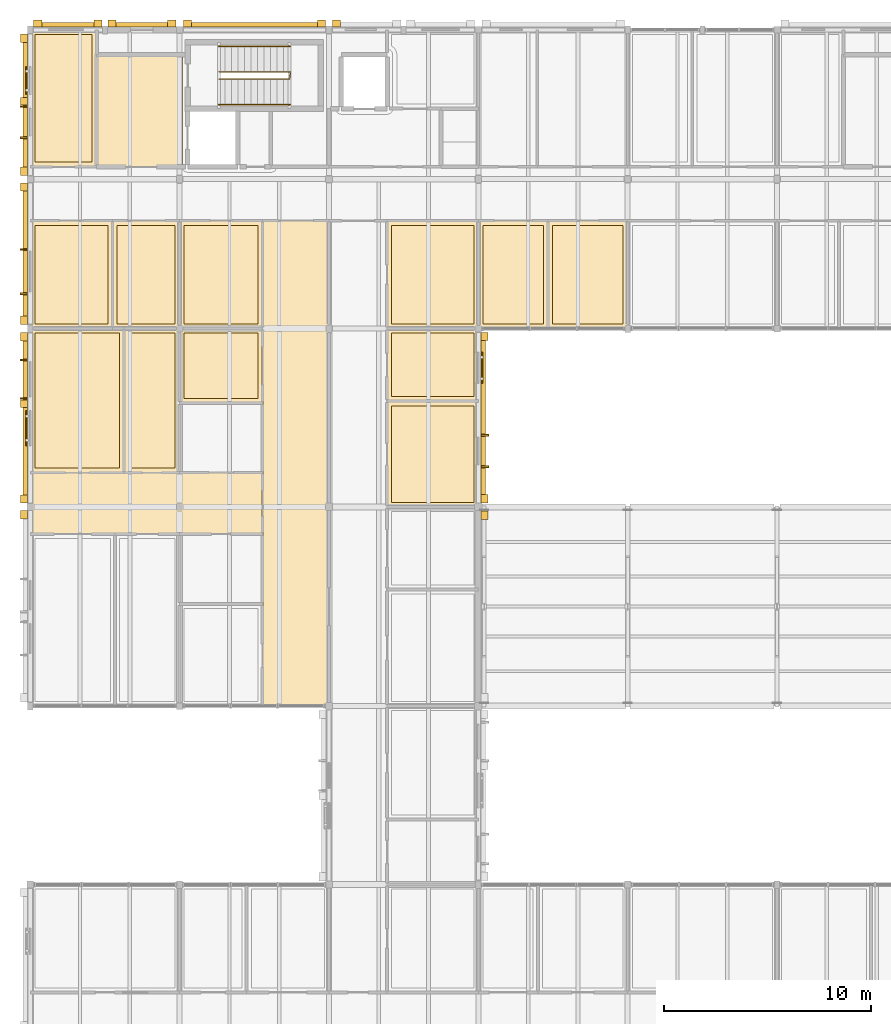
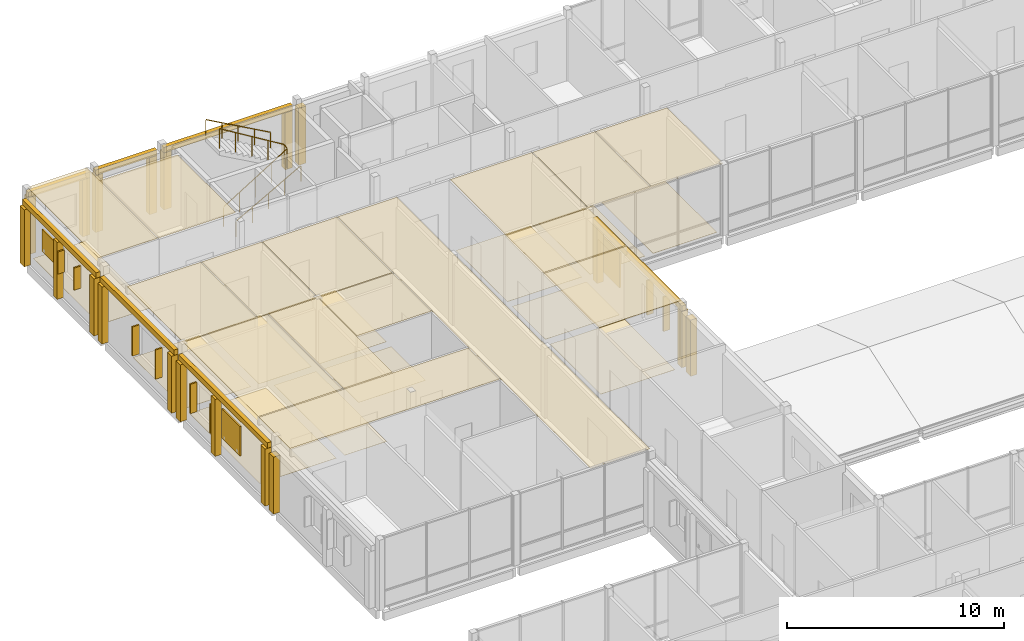
# One storey, part 107 of 115: 53 coverings, 11 shading devices, 3 railings.
"""IFC4 building model written with IfcOpenShell, lengths in metres."""

from ifc_helpers import new_model, si_unit, direction, frame, origin, origin_2d, place, context, subcontext, project, spatial, polyline, rectangle, circle, outline, extrude, material, layer, layer_set, type_object, element, save


model = new_model("IFC4")

# Units and contexts
model_context = context("Model", 3, precision=1e-05, world=origin(), true_north=direction((0.0, 1.0)))
body_context = subcontext(model_context, "Body", "Model", "MODEL_VIEW")
ifc_project = project(units=[si_unit("LENGTHUNIT", "METRE"), si_unit("AREAUNIT", "SQUARE_METRE"), si_unit("VOLUMEUNIT", "CUBIC_METRE"), si_unit("PLANEANGLEUNIT", "RADIAN"), si_unit("MASSUNIT", "GRAM", prefix="KILO")], contexts=[model_context])

# Site, building, storey
site_placement = place(None, origin())
site = spatial("IfcSite", under=ifc_project, at=site_placement, CompositionType="ELEMENT")
building_placement = place(site_placement, origin())
building = spatial("IfcBuilding", under=site, at=building_placement, Name="Hawrajan Terrace Health Centre", CompositionType="ELEMENT")
storey_placement = place(building_placement, frame((0.0, 0.0, 9.0)))
storey = spatial("IfcBuildingStorey", under=building, at=storey_placement, Name="L02", CompositionType="ELEMENT", Elevation=9.0)

# Coverings
ifc_material_1 = material(Name="Precast concrete C40/50", Category="concrete")
ifc_layer_1 = layer(ifc_material_1, 0.219970703125)
ifc_layer_set_1 = layer_set([ifc_layer_1], Name="Precast concrete C40/50")
covering_type_1 = type_object("IfcCoveringType", Name="ArtDecoCorniceBand", PredefinedType="CLADDING", material=ifc_layer_set_1)
covering_1_placement = place(storey_placement, frame((4.35498046875, 41.090087890625, 3.22021484375), z_axis=(0.0, 0.0, 1.0), x_axis=(0.0, 1.0, 0.0)))
element("IfcCovering", 1, at=covering_1_placement, inside=storey, type_object=covering_type_1, Name="Art Deco limestone cornice band CRN-L02-0109", PredefinedType="CLADDING", context=body_context, shape_type="SweptSolid", body=[
    extrude(rectangle(XDim=8.219970703125, YDim=0.219970703125, at=origin_2d()), origin(), (0.0, 0.0, 1.0), 0.300048828125),
])
covering_2_placement = place(storey_placement, frame((4.35498046875, 49.010009765625, 3.22021484375), z_axis=(0.0, 0.0, 1.0), x_axis=(0.0, 1.0, 0.0)))
element("IfcCovering", 2, at=covering_2_placement, inside=storey, type_object=covering_type_1, Name="Art Deco limestone cornice band CRN-L02-0110", PredefinedType="CLADDING", context=body_context, shape_type="SweptSolid", body=[
    extrude(rectangle(XDim=6.820068359375, YDim=0.219970703125, at=origin_2d()), origin(), (0.0, 0.0, 1.0), 0.300048828125),
])
covering_3_placement = place(storey_placement, frame((6.409912109375, 60.044921875, 3.22021484375), z_axis=(0.0, 0.0, 1.0), x_axis=(1.0, 0.0, 0.0)))
element("IfcCovering", 3, at=covering_3_placement, inside=storey, type_object=covering_type_1, Name="Art Deco limestone cornice band CRN-L02-0111", PredefinedType="CLADDING", context=body_context, shape_type="SweptSolid", body=[
    extrude(rectangle(XDim=3.300048828125, YDim=0.219970703125, at=origin_2d()), origin(), (0.0, 0.0, 1.0), 0.300048828125),
])
covering_4_placement = place(storey_placement, frame((9.97998046875, 60.044921875, 3.22021484375), z_axis=(0.0, 0.0, 1.0), x_axis=(1.0, 0.0, 0.0)))
element("IfcCovering", 4, at=covering_4_placement, inside=storey, type_object=covering_type_1, Name="Art Deco limestone cornice band CRN-L02-0112", PredefinedType="CLADDING", context=body_context, shape_type="SweptSolid", body=[
    extrude(rectangle(XDim=3.280029296875, YDim=0.219970703125, at=origin_2d()), origin(), (0.0, 0.0, 1.0), 0.300048828125),
])
covering_5_placement = place(storey_placement, frame((4.35498046875, 56.18994140625, 3.22021484375), z_axis=(0.0, 0.0, 1.0), x_axis=(0.0, 1.0, 0.0)))
element("IfcCovering", 5, at=covering_5_placement, inside=storey, type_object=covering_type_1, Name="Art Deco limestone cornice band CRN-L02-0113", PredefinedType="CLADDING", context=body_context, shape_type="SweptSolid", body=[
    extrude(rectangle(XDim=6.820068359375, YDim=0.219970703125, at=origin_2d()), origin(), (0.0, 0.0, 1.0), 0.300048828125),
])
covering_6_placement = place(storey_placement, frame((15.409912109375, 60.044921875, 3.22021484375), z_axis=(0.0, 0.0, 1.0), x_axis=(1.0, 0.0, 0.0)))
element("IfcCovering", 6, at=covering_6_placement, inside=storey, type_object=covering_type_1, Name="Art Deco limestone cornice band CRN-L02-0115", PredefinedType="CLADDING", context=body_context, shape_type="SweptSolid", body=[
    extrude(rectangle(XDim=6.860107421875, YDim=0.219970703125, at=origin_2d()), origin(), (0.0, 0.0, 1.0), 0.300048828125),
])
covering_7_placement = place(storey_placement, frame((26.445068359375, 41.110107421875, 3.18017578125), z_axis=(0.0, 0.0, 1.0), x_axis=(0.0, 1.0, 0.0)))
element("IfcCovering", 7, at=covering_7_placement, inside=storey, type_object=covering_type_1, Name="Art Deco limestone cornice band CRN-L02-0121", PredefinedType="CLADDING", context=body_context, shape_type="SweptSolid", body=[
    extrude(rectangle(XDim=8.219970703125, YDim=0.219970703125, at=origin_2d()), origin(), (0.0, 0.0, 1.0), 0.300048828125),
])
ifc_layer_2 = layer(ifc_material_1, 0.340087890625)
ifc_layer_set_2 = layer_set([ifc_layer_2], Name="Precast concrete C40/50")
covering_type_2 = type_object("IfcCoveringType", Name="ArtDecoStonePilaster", PredefinedType="CLADDING", material=ifc_layer_set_2)
for number, where, z_axis, x_axis, name in (
    (8, (4.294921875, 36.419921875, 0.0), (0.0, 0.0, 1.0), (0.0, 1.0, 0.0), "Art Deco fluted limestone pilaster FPIL-L02-0196"),
    (9, (4.294921875, 37.179931640625, 0.0), (0.0, 0.0, 1.0), (0.0, 1.0, 0.0), "Art Deco fluted limestone pilaster FPIL-L02-0198"),
    (10, (4.294921875, 45.0, 0.0), (0.0, 0.0, 1.0), (0.0, 1.0, 0.0), "Art Deco fluted limestone pilaster FPIL-L02-0199"),
):
    element("IfcCovering", number, at=place(storey_placement, frame(where, z_axis=z_axis, x_axis=x_axis)), inside=storey, type_object=covering_type_2, Name=name, PredefinedType="CLADDING", context=body_context, shape_type="SweptSolid", body=[
        extrude(rectangle(XDim=0.39990234375, YDim=0.340087890625, at=origin_2d()), origin(), (0.0, 0.0, 1.0), 3.2099609375),
    ])
covering_8_placement = place(storey_placement, frame((4.294921875, 41.77490234375, 0.0), z_axis=(0.0, 0.0, 1.0), x_axis=(0.0, 1.0, 0.0)))
element("IfcCovering", 11, at=covering_8_placement, inside=storey, type_object=covering_type_2, Name="Art Deco mullion pilaster FPIL-L02-0200", PredefinedType="CLADDING", context=body_context, shape_type="SweptSolid", body=[
    extrude(rectangle(XDim=0.360107421875, YDim=0.340087890625, at=origin_2d()), origin(), (0.0, 0.0, 1.0), 3.2099609375),
])
for number, where, z_axis, x_axis, name in (
    (12, (4.294921875, 45.800048828125, 0.0), (0.0, 0.0, 1.0), (0.0, 1.0, 0.0), "Art Deco fluted limestone pilaster FPIL-L02-0201"),
    (13, (4.294921875, 52.219970703125, 0.0), (0.0, 0.0, 1.0), (0.0, 1.0, 0.0), "Art Deco fluted limestone pilaster FPIL-L02-0202"),
    (14, (4.9599609375, 60.10498046875, 0.0), (0.0, 0.0, 1.0), (1.0, 0.0, 0.0), "Art Deco fluted limestone pilaster FPIL-L02-0203"),
    (15, (7.860107421875, 60.10498046875, 0.0), (0.0, 0.0, 1.0), (1.0, 0.0, 0.0), "Art Deco fluted limestone pilaster FPIL-L02-0204"),
    (16, (8.5400390625, 60.10498046875, 0.0), (0.0, 0.0, 1.0), (1.0, 0.0, 0.0), "Art Deco fluted limestone pilaster FPIL-L02-0205"),
    (17, (11.419921875, 60.10498046875, 0.0), (0.0, 0.0, 1.0), (1.0, 0.0, 0.0), "Art Deco fluted limestone pilaster FPIL-L02-0206"),
    (18, (4.294921875, 52.97998046875, 0.0), (0.0, 0.0, 1.0), (0.0, 1.0, 0.0), "Art Deco fluted limestone pilaster FPIL-L02-0207"),
    (19, (4.294921875, 59.39990234375, 0.0), (0.0, 0.0, 1.0), (0.0, 1.0, 0.0), "Art Deco fluted limestone pilaster FPIL-L02-0208"),
):
    element("IfcCovering", number, at=place(storey_placement, frame(where, z_axis=z_axis, x_axis=x_axis)), inside=storey, type_object=covering_type_2, Name=name, PredefinedType="CLADDING", context=body_context, shape_type="SweptSolid", body=[
        extrude(rectangle(XDim=0.39990234375, YDim=0.340087890625, at=origin_2d()), origin(), (0.0, 0.0, 1.0), 3.2099609375),
    ])
covering_9_placement = place(storey_placement, frame((4.294921875, 56.35009765625, 0.0), z_axis=(0.0, 0.0, 1.0), x_axis=(0.0, 1.0, 0.0)))
element("IfcCovering", 20, at=covering_9_placement, inside=storey, type_object=covering_type_2, Name="Art Deco mullion pilaster FPIL-L02-0209", PredefinedType="CLADDING", context=body_context, shape_type="SweptSolid", body=[
    extrude(rectangle(XDim=0.360107421875, YDim=0.340087890625, at=origin_2d()), origin(), (0.0, 0.0, 1.0), 3.2099609375),
])
for number, where, z_axis, x_axis, name in (
    (21, (12.179931640625, 60.10498046875, 0.0), (0.0, 0.0, 1.0), (1.0, 0.0, 0.0), "Art Deco fluted limestone pilaster FPIL-L02-0212"),
    (22, (18.639892578125, 60.10498046875, 0.0), (0.0, 0.0, 1.0), (1.0, 0.0, 0.0), "Art Deco fluted limestone pilaster FPIL-L02-0213"),
):
    element("IfcCovering", number, at=place(storey_placement, frame(where, z_axis=z_axis, x_axis=x_axis)), inside=storey, type_object=covering_type_2, Name=name, PredefinedType="CLADDING", context=body_context, shape_type="SweptSolid", body=[
        extrude(rectangle(XDim=0.39990234375, YDim=0.340087890625, at=origin_2d()), origin(), (0.0, 0.0, 1.0), 3.2099609375),
    ])
for number, where, z_axis, x_axis, name in (
    (23, (26.5048828125, 36.39990234375, 0.0), (0.0, 0.0, 1.0), (0.0, 1.0, 0.0), "Art Deco fluted limestone pilaster FPIL-L02-0225"),
    (24, (26.5048828125, 37.199951171875, 0.0), (0.0, 0.0, 1.0), (0.0, 1.0, 0.0), "Art Deco fluted limestone pilaster FPIL-L02-0226"),
    (25, (26.5048828125, 45.02001953125, 0.0), (0.0, 0.0, 1.0), (0.0, 1.0, 0.0), "Art Deco fluted limestone pilaster FPIL-L02-0227"),
):
    element("IfcCovering", number, at=place(storey_placement, frame(where, z_axis=z_axis, x_axis=x_axis)), inside=storey, type_object=covering_type_2, Name=name, PredefinedType="CLADDING", context=body_context, shape_type="SweptSolid", body=[
        extrude(rectangle(XDim=0.39990234375, YDim=0.340087890625, at=origin_2d()), origin(), (0.0, 0.0, 1.0), 3.169921875),
    ])
covering_10_placement = place(storey_placement, frame((19.360107421875, 60.10498046875, 0.0), z_axis=(0.0, 0.0, 1.0), x_axis=(1.0, 0.0, 0.0)))
element("IfcCovering", 26, at=covering_10_placement, inside=storey, type_object=covering_type_2, Name="Art Deco fluted limestone pilaster FPIL-L02-0228", PredefinedType="CLADDING", context=body_context, shape_type="SweptSolid", body=[
    extrude(rectangle(XDim=0.39990234375, YDim=0.340087890625, at=origin_2d()), origin(), (0.0, 0.0, 1.0), 3.2099609375),
])
ifc_material_2 = material(Name="Hygienic mineral-fibre acoustic tile ceiling")
ifc_layer_3 = layer(ifc_material_2, 0.02490234375)
ifc_layer_set_3 = layer_set([ifc_layer_3], Name="Hygienic mineral-fibre acoustic tile ceiling")
covering_type_3 = type_object("IfcCoveringType", Name="ClinicalAcousticCeiling_25", PredefinedType="CEILING", material=ifc_layer_set_3)
covering_11_placement = place(storey_placement, frame((0.0, 0.0, 3.93505859375)))
element("IfcCovering", 27, at=covering_11_placement, inside=storey, type_object=covering_type_3, Name="Suspended ceiling L02-018", PredefinedType="CEILING", context=body_context, shape_type="SweptSolid", body=[
    extrude(outline(polyline([(7.820068359375, 53.219970703125), (7.820068359375, 58.580078125), (11.929931640625, 58.580078125), (11.929931640625, 53.219970703125), (7.820068359375, 53.219970703125)])), origin(), (0.0, 0.0, 1.0), 0.02490234375),
])
covering_12_placement = place(storey_placement, frame((0.0, 0.0, 3.93505859375)))
element("IfcCovering", 28, at=covering_12_placement, inside=storey, type_object=covering_type_3, Name="Suspended ceiling L02-025", PredefinedType="CEILING", context=body_context, shape_type="SweptSolid", body=[
    extrude(outline(polyline([(15.820068359375, 50.580078125), (18.97998046875, 50.580078125), (18.97998046875, 27.219970703125), (15.820068359375, 27.219970703125), (15.820068359375, 50.580078125)])), origin(), (0.0, 0.0, 1.0), 0.02490234375),
])
covering_13_placement = place(storey_placement, frame((0.0, 0.0, 3.93505859375)))
element("IfcCovering", 29, at=covering_13_placement, inside=storey, type_object=covering_type_3, Name="Suspended ceiling L02-026", PredefinedType="CEILING", context=body_context, shape_type="SweptSolid", body=[
    extrude(outline(polyline([(4.6201171875, 38.429931640625), (15.780029296875, 38.429931640625), (15.780029296875, 35.52001953125), (4.6201171875, 35.52001953125), (4.6201171875, 38.429931640625)])), origin(), (0.0, 0.0, 1.0), 0.02490234375),
])
covering_14_placement = place(storey_placement, frame((0.0, 0.0, 3.93505859375)))
element("IfcCovering", 30, at=covering_14_placement, inside=storey, type_object=covering_type_3, Name="Suspended ceiling L02-047", PredefinedType="CEILING", context=body_context, shape_type="SweptSolid", body=[
    extrude(outline(polyline([(4.6201171875, 45.3798828125), (9.1015625, 45.3798828125), (9.1015625, 38.469970703125), (4.6201171875, 38.469970703125), (4.6201171875, 45.3798828125)])), origin(), (0.0, 0.0, 1.0), 0.02490234375),
])
covering_15_placement = place(storey_placement, frame((0.0, 0.0, 3.93505859375)))
element("IfcCovering", 31, at=covering_15_placement, inside=storey, type_object=covering_type_3, Name="Suspended ceiling L02-048", PredefinedType="CEILING", context=body_context, shape_type="SweptSolid", body=[
    extrude(outline(polyline([(9.1416015625, 45.3798828125), (11.780029296875, 45.3798828125), (11.780029296875, 38.469970703125), (9.1416015625, 38.469970703125), (9.1416015625, 45.3798828125)])), origin(), (0.0, 0.0, 1.0), 0.02490234375),
])
covering_16_placement = place(storey_placement, frame((0.0, 0.0, 3.93505859375)))
element("IfcCovering", 32, at=covering_16_placement, inside=storey, type_object=covering_type_3, Name="Suspended ceiling L02-049", PredefinedType="CEILING", context=body_context, shape_type="SweptSolid", body=[
    extrude(outline(polyline([(4.6201171875, 50.580078125), (8.547119140625, 50.580078125), (8.547119140625, 45.419921875), (4.6201171875, 45.419921875), (4.6201171875, 50.580078125)])), origin(), (0.0, 0.0, 1.0), 0.02490234375),
])
covering_17_placement = place(storey_placement, frame((0.0, 0.0, 3.93505859375)))
element("IfcCovering", 33, at=covering_17_placement, inside=storey, type_object=covering_type_3, Name="Suspended ceiling L02-050", PredefinedType="CEILING", context=body_context, shape_type="SweptSolid", body=[
    extrude(outline(polyline([(8.587158203125, 50.580078125), (11.780029296875, 50.580078125), (11.780029296875, 45.419921875), (8.587158203125, 45.419921875), (8.587158203125, 50.580078125)])), origin(), (0.0, 0.0, 1.0), 0.02490234375),
])
covering_18_placement = place(storey_placement, frame((0.0, 0.0, 3.93505859375)))
element("IfcCovering", 34, at=covering_18_placement, inside=storey, type_object=covering_type_3, Name="Suspended ceiling L02-051", PredefinedType="CEILING", context=body_context, shape_type="SweptSolid", body=[
    extrude(outline(polyline([(4.6201171875, 59.780029296875), (7.780029296875, 59.780029296875), (7.780029296875, 53.219970703125), (4.6201171875, 53.219970703125), (4.6201171875, 59.780029296875)])), origin(), (0.0, 0.0, 1.0), 0.02490234375),
])
covering_19_placement = place(storey_placement, frame((0.0, 0.0, 3.93505859375)))
element("IfcCovering", 35, at=covering_19_placement, inside=storey, type_object=covering_type_3, Name="Suspended ceiling L02-055", PredefinedType="CEILING", context=body_context, shape_type="SweptSolid", body=[
    extrude(outline(polyline([(11.820068359375, 45.3798828125), (15.780029296875, 45.3798828125), (15.780029296875, 41.826904296875), (11.820068359375, 41.826904296875), (11.820068359375, 45.3798828125)])), origin(), (0.0, 0.0, 1.0), 0.02490234375),
])
covering_20_placement = place(storey_placement, frame((0.0, 0.0, 3.93505859375)))
element("IfcCovering", 36, at=covering_20_placement, inside=storey, type_object=covering_type_3, Name="Suspended ceiling L02-056", PredefinedType="CEILING", context=body_context, shape_type="SweptSolid", body=[
    extrude(outline(polyline([(11.820068359375, 50.580078125), (15.780029296875, 50.580078125), (15.780029296875, 45.419921875), (11.820068359375, 45.419921875), (11.820068359375, 50.580078125)])), origin(), (0.0, 0.0, 1.0), 0.02490234375),
])
covering_21_placement = place(storey_placement, frame((0.0, 0.0, 3.93505859375)))
element("IfcCovering", 37, at=covering_21_placement, inside=storey, type_object=covering_type_3, Name="Suspended ceiling L02-061", PredefinedType="CEILING", context=body_context, shape_type="SweptSolid", body=[
    extrude(outline(polyline([(21.820068359375, 41.8798828125), (26.179931640625, 41.8798828125), (26.179931640625, 36.820068359375), (21.820068359375, 36.820068359375), (21.820068359375, 41.8798828125)])), origin(), (0.0, 0.0, 1.0), 0.02490234375),
])
covering_22_placement = place(storey_placement, frame((0.0, 0.0, 3.93505859375)))
element("IfcCovering", 38, at=covering_22_placement, inside=storey, type_object=covering_type_3, Name="Suspended ceiling L02-062", PredefinedType="CEILING", context=body_context, shape_type="SweptSolid", body=[
    extrude(outline(polyline([(21.820068359375, 45.3798828125), (26.179931640625, 45.3798828125), (26.179931640625, 41.919921875), (21.820068359375, 41.919921875), (21.820068359375, 45.3798828125)])), origin(), (0.0, 0.0, 1.0), 0.02490234375),
])
covering_23_placement = place(storey_placement, frame((0.0, 0.0, 3.93505859375)))
element("IfcCovering", 39, at=covering_23_placement, inside=storey, type_object=covering_type_3, Name="Suspended ceiling L02-063", PredefinedType="CEILING", context=body_context, shape_type="SweptSolid", body=[
    extrude(outline(polyline([(21.820068359375, 50.580078125), (26.179931640625, 50.580078125), (26.179931640625, 45.419921875), (21.820068359375, 45.419921875), (21.820068359375, 50.580078125)])), origin(), (0.0, 0.0, 1.0), 0.02490234375),
])
covering_24_placement = place(storey_placement, frame((0.0, 0.0, 3.93505859375)))
element("IfcCovering", 40, at=covering_24_placement, inside=storey, type_object=covering_type_3, Name="Suspended ceiling L02-065", PredefinedType="CEILING", context=body_context, shape_type="SweptSolid", body=[
    extrude(outline(polyline([(26.219970703125, 50.580078125), (29.53515625, 50.580078125), (29.53515625, 45.419921875), (26.219970703125, 45.419921875), (26.219970703125, 50.580078125)])), origin(), (0.0, 0.0, 1.0), 0.02490234375),
])
covering_25_placement = place(storey_placement, frame((0.0, 0.0, 3.93505859375)))
element("IfcCovering", 41, at=covering_25_placement, inside=storey, type_object=covering_type_3, Name="Suspended ceiling L02-066", PredefinedType="CEILING", context=body_context, shape_type="SweptSolid", body=[
    extrude(outline(polyline([(29.5751953125, 50.580078125), (33.3798828125, 50.580078125), (33.3798828125, 45.419921875), (29.5751953125, 45.419921875), (29.5751953125, 50.580078125)])), origin(), (0.0, 0.0, 1.0), 0.02490234375),
])
ifc_material_3 = material(Name="Seamless medical-grade cushioned vinyl flooring")
ifc_layer_4 = layer(ifc_material_3, 0.011962890625)
ifc_layer_set_4 = layer_set([ifc_layer_4], Name="Seamless medical-grade cushioned vinyl flooring")
covering_type_4 = type_object("IfcCoveringType", Name="ClinicalVinylFlooring_12", PredefinedType="FLOORING", material=ifc_layer_set_4)
covering_26_placement = place(storey_placement, origin())
element("IfcCovering", 42, at=covering_26_placement, inside=storey, type_object=covering_type_4, Name="Floor finish L02-047", PredefinedType="FLOORING", context=body_context, shape_type="SweptSolid", body=[
    extrude(outline(polyline([(4.820068359375, 45.179931640625), (8.901611328125, 45.179931640625), (8.901611328125, 38.669921875), (4.820068359375, 38.669921875), (4.820068359375, 45.179931640625)])), origin(), (0.0, 0.0, 1.0), 0.011962890625),
])
covering_27_placement = place(storey_placement, origin())
element("IfcCovering", 43, at=covering_27_placement, inside=storey, type_object=covering_type_4, Name="Floor finish L02-048", PredefinedType="FLOORING", context=body_context, shape_type="SweptSolid", body=[
    extrude(outline(polyline([(9.341552734375, 45.179931640625), (11.580078125, 45.179931640625), (11.580078125, 38.669921875), (9.341552734375, 38.669921875), (9.341552734375, 45.179931640625)])), origin(), (0.0, 0.0, 1.0), 0.011962890625),
])
covering_28_placement = place(storey_placement, origin())
element("IfcCovering", 44, at=covering_28_placement, inside=storey, type_object=covering_type_4, Name="Floor finish L02-049", PredefinedType="FLOORING", context=body_context, shape_type="SweptSolid", body=[
    extrude(outline(polyline([(4.820068359375, 50.3798828125), (8.34716796875, 50.3798828125), (8.34716796875, 45.6201171875), (4.820068359375, 45.6201171875), (4.820068359375, 50.3798828125)])), origin(), (0.0, 0.0, 1.0), 0.011962890625),
])
covering_29_placement = place(storey_placement, origin())
element("IfcCovering", 45, at=covering_29_placement, inside=storey, type_object=covering_type_4, Name="Floor finish L02-050", PredefinedType="FLOORING", context=body_context, shape_type="SweptSolid", body=[
    extrude(outline(polyline([(8.787109375, 50.3798828125), (11.580078125, 50.3798828125), (11.580078125, 45.6201171875), (8.787109375, 45.6201171875), (8.787109375, 50.3798828125)])), origin(), (0.0, 0.0, 1.0), 0.011962890625),
])
covering_30_placement = place(storey_placement, origin())
element("IfcCovering", 46, at=covering_30_placement, inside=storey, type_object=covering_type_4, Name="Floor finish L02-051", PredefinedType="FLOORING", context=body_context, shape_type="SweptSolid", body=[
    extrude(outline(polyline([(4.820068359375, 59.580078125), (7.580078125, 59.580078125), (7.580078125, 53.419921875), (4.820068359375, 53.419921875), (4.820068359375, 59.580078125)])), origin(), (0.0, 0.0, 1.0), 0.011962890625),
])
covering_31_placement = place(storey_placement, origin())
element("IfcCovering", 47, at=covering_31_placement, inside=storey, type_object=covering_type_4, Name="Floor finish L02-055", PredefinedType="FLOORING", context=body_context, shape_type="SweptSolid", body=[
    extrude(outline(polyline([(12.02001953125, 45.179931640625), (15.580078125, 45.179931640625), (15.580078125, 42.02685546875), (12.02001953125, 42.02685546875), (12.02001953125, 45.179931640625)])), origin(), (0.0, 0.0, 1.0), 0.011962890625),
])
covering_32_placement = place(storey_placement, origin())
element("IfcCovering", 48, at=covering_32_placement, inside=storey, type_object=covering_type_4, Name="Floor finish L02-056", PredefinedType="FLOORING", context=body_context, shape_type="SweptSolid", body=[
    extrude(outline(polyline([(12.02001953125, 50.3798828125), (15.580078125, 50.3798828125), (15.580078125, 45.6201171875), (12.02001953125, 45.6201171875), (12.02001953125, 50.3798828125)])), origin(), (0.0, 0.0, 1.0), 0.011962890625),
])
covering_33_placement = place(storey_placement, origin())
element("IfcCovering", 49, at=covering_33_placement, inside=storey, type_object=covering_type_4, Name="Floor finish L02-061", PredefinedType="FLOORING", context=body_context, shape_type="SweptSolid", body=[
    extrude(outline(polyline([(22.02001953125, 41.6796875), (25.97998046875, 41.6796875), (25.97998046875, 37.02001953125), (22.02001953125, 37.02001953125), (22.02001953125, 41.6796875)])), origin(), (0.0, 0.0, 1.0), 0.011962890625),
])
covering_34_placement = place(storey_placement, origin())
element("IfcCovering", 50, at=covering_34_placement, inside=storey, type_object=covering_type_4, Name="Floor finish L02-062", PredefinedType="FLOORING", context=body_context, shape_type="SweptSolid", body=[
    extrude(outline(polyline([(22.02001953125, 45.179931640625), (25.97998046875, 45.179931640625), (25.97998046875, 42.119873046875), (22.02001953125, 42.119873046875), (22.02001953125, 45.179931640625)])), origin(), (0.0, 0.0, 1.0), 0.011962890625),
])
covering_35_placement = place(storey_placement, origin())
element("IfcCovering", 51, at=covering_35_placement, inside=storey, type_object=covering_type_4, Name="Floor finish L02-063", PredefinedType="FLOORING", context=body_context, shape_type="SweptSolid", body=[
    extrude(outline(polyline([(22.02001953125, 50.3798828125), (25.97998046875, 50.3798828125), (25.97998046875, 45.6201171875), (22.02001953125, 45.6201171875), (22.02001953125, 50.3798828125)])), origin(), (0.0, 0.0, 1.0), 0.011962890625),
])
covering_36_placement = place(storey_placement, origin())
element("IfcCovering", 52, at=covering_36_placement, inside=storey, type_object=covering_type_4, Name="Floor finish L02-065", PredefinedType="FLOORING", context=body_context, shape_type="SweptSolid", body=[
    extrude(outline(polyline([(26.419921875, 50.3798828125), (29.335205078125, 50.3798828125), (29.335205078125, 45.6201171875), (26.419921875, 45.6201171875), (26.419921875, 50.3798828125)])), origin(), (0.0, 0.0, 1.0), 0.011962890625),
])
covering_37_placement = place(storey_placement, origin())
element("IfcCovering", 53, at=covering_37_placement, inside=storey, type_object=covering_type_4, Name="Floor finish L02-066", PredefinedType="FLOORING", context=body_context, shape_type="SweptSolid", body=[
    extrude(outline(polyline([(29.775146484375, 50.3798828125), (33.179931640625, 50.3798828125), (33.179931640625, 45.6201171875), (29.775146484375, 45.6201171875), (29.775146484375, 50.3798828125)])), origin(), (0.0, 0.0, 1.0), 0.011962890625),
])

# Shading devices
ifc_material_4 = material(Name="Anodized bronze mashrabiya vertical solar fin")
ifc_layer_5 = layer(ifc_material_4, 0.080078125)
ifc_layer_set_5 = layer_set([ifc_layer_5], Name="Anodized bronze mashrabiya vertical solar fin")
shading_device_type_1 = type_object("IfcShadingDeviceType", Name="MashrabiyaVerticalFin", PredefinedType="USERDEFINED", material=ifc_layer_set_5)
for number, where, z_axis, x_axis, name in (
    (54, (4.284912109375, 42.02490234375, 1.050048828125), (0.0, 0.0, 1.0), (0.0, 1.0, 0.0), "Bronze mashrabiya solar fin FIN-L02-0140"),
    (55, (4.284912109375, 43.885009765625, 1.050048828125), (0.0, 0.0, 1.0), (0.0, 1.0, 0.0), "Bronze mashrabiya solar fin FIN-L02-0141"),
    (56, (4.284912109375, 47.080078125, 1.050048828125), (0.0, 0.0, 1.0), (0.0, 1.0, 0.0), "Bronze mashrabiya solar fin FIN-L02-0142"),
    (57, (4.284912109375, 49.219970703125, 1.050048828125), (0.0, 0.0, 1.0), (0.0, 1.0, 0.0), "Bronze mashrabiya solar fin FIN-L02-0143"),
):
    element("IfcShadingDevice", number, at=place(storey_placement, frame(where, z_axis=z_axis, x_axis=x_axis)), inside=storey, type_object=shading_device_type_1, Name=name, ObjectType="SOLAR_FIN", PredefinedType="USERDEFINED", context=body_context, shape_type="SweptSolid", body=[
        extrude(rectangle(XDim=0.080078125, YDim=0.360107421875, at=origin_2d()), origin(), (0.0, 0.0, 1.0), 1.64990234375),
    ])
for number, where, z_axis, x_axis, name in (
    (58, (4.284912109375, 54.60009765625, 1.5), (0.0, 0.0, 1.0), (0.0, 1.0, 0.0), "Bronze mashrabiya solar fin FIN-L02-0144"),
    (59, (4.284912109375, 56.10009765625, 1.5), (0.0, 0.0, 1.0), (0.0, 1.0, 0.0), "Bronze mashrabiya solar fin FIN-L02-0145"),
):
    element("IfcShadingDevice", number, at=place(storey_placement, frame(where, z_axis=z_axis, x_axis=x_axis)), inside=storey, type_object=shading_device_type_1, Name=name, ObjectType="SOLAR_FIN", PredefinedType="USERDEFINED", context=body_context, shape_type="SweptSolid", body=[
        extrude(rectangle(XDim=0.080078125, YDim=0.360107421875, at=origin_2d()), origin(), (0.0, 0.0, 1.0), 1.25),
    ])
for number, where, z_axis, x_axis, name in (
    (60, (26.514892578125, 38.739990234375, 1.0), (0.0, 0.0, 1.0), (0.0, 1.0, 0.0), "Bronze mashrabiya solar fin FIN-L02-0159"),
    (61, (26.514892578125, 40.260009765625, 1.0), (0.0, 0.0, 1.0), (0.0, 1.0, 0.0), "Bronze mashrabiya solar fin FIN-L02-0160"),
):
    element("IfcShadingDevice", number, at=place(storey_placement, frame(where, z_axis=z_axis, x_axis=x_axis)), inside=storey, type_object=shading_device_type_1, Name=name, ObjectType="SOLAR_FIN", PredefinedType="USERDEFINED", context=body_context, shape_type="SweptSolid", body=[
        extrude(rectangle(XDim=0.080078125, YDim=0.360107421875, at=origin_2d()), origin(), (0.0, 0.0, 1.0), 1.949951171875),
    ])
ifc_material_5 = material(Name="Anodized bronze and cedar roshan lattice")
ifc_layer_6 = layer(ifc_material_5, 0.080078125)
ifc_layer_set_6 = layer_set([ifc_layer_6], Name="Anodized bronze and cedar roshan lattice")
shading_device_type_2 = type_object("IfcShadingDeviceType", Name="RoshanScreen_BronzeCedar", PredefinedType="JALOUSIE", material=ifc_layer_set_6)
shading_device_1_placement = place(storey_placement, frame((4.419921875, 40.594970703125, 1.050048828125), z_axis=(0.0, 0.0, 1.0), x_axis=(0.0, 1.0, 0.0)))
element("IfcShadingDevice", 62, at=shading_device_1_placement, inside=storey, type_object=shading_device_type_2, Name="Hijazi roshan solar screen RSH-L02-139", PredefinedType="JALOUSIE", context=body_context, shape_type="SweptSolid", body=[
    extrude(rectangle(XDim=1.679931640625, YDim=0.080078125, at=origin_2d()), origin(), (0.0, 0.0, 1.0), 1.64990234375),
])
shading_device_2_placement = place(storey_placement, frame((4.419921875, 57.35009765625, 1.5), z_axis=(0.0, 0.0, 1.0), x_axis=(0.0, 1.0, 0.0)))
element("IfcShadingDevice", 63, at=shading_device_2_placement, inside=storey, type_object=shading_device_type_2, Name="Hijazi roshan solar screen RSH-L02-146", PredefinedType="JALOUSIE", context=body_context, shape_type="SweptSolid", body=[
    extrude(rectangle(XDim=1.320068359375, YDim=0.080078125, at=origin_2d()), origin(), (0.0, 0.0, 1.0), 1.25),
])
shading_device_3_placement = place(storey_placement, frame((26.3798828125, 43.510009765625, 1.0), z_axis=(0.0, 0.0, 1.0), x_axis=(0.0, 1.0, 0.0)))
element("IfcShadingDevice", 64, at=shading_device_3_placement, inside=storey, type_object=shading_device_type_2, Name="Hijazi roshan solar screen RSH-L02-161", PredefinedType="JALOUSIE", context=body_context, shape_type="SweptSolid", body=[
    extrude(rectangle(XDim=1.47998046875, YDim=0.080078125, at=origin_2d()), origin(), (0.0, 0.0, 1.0), 1.949951171875),
])

# Railings
ifc_material_6 = material(Name="Brushed stainless steel tubular handrail", Category="steel")
railing_type_1 = type_object("IfcRailingType", Name="StairHandrail_900", PredefinedType="HANDRAIL", material=ifc_material_6)
railing_1_placement = place(storey_placement, frame((13.675048828125, 56.199951171875, 0.175048828125)))
element("IfcRailing", 65, at=railing_1_placement, inside=storey, type_object=railing_type_1, Name="Stair handrail ST-1-L02-H1", PredefinedType="HANDRAIL", context=body_context, shape_type="SweptSolid", body=[
    extrude(circle(Radius=0.02392578125, at=origin_2d()), frame((0.025146484375, 0.0, 0.889892578125), z_axis=(0.873252128816, 0.0, 0.487268631782), x_axis=(0.0, 1.0, 0.0)), (0.0, 0.0, 1.0), 3.89306640625),
    extrude(circle(Radius=0.02099609375, at=origin_2d()), origin(), (0.0, 0.0, 1.0), 0.846923828125),
    extrude(circle(Radius=0.02099609375, at=origin_2d()), frame((0.862548828125, 0.0, 0.481201171875)), (0.0, 0.0, 1.0), 0.846923828125),
    extrude(circle(Radius=0.02099609375, at=origin_2d()), frame((1.72509765625, 0.0, 0.96240234375)), (0.0, 0.0, 1.0), 0.846923828125),
    extrude(circle(Radius=0.02099609375, at=origin_2d()), frame((2.58740234375, 0.0, 1.44384765625)), (0.0, 0.0, 1.0), 0.846923828125),
    extrude(circle(Radius=0.02099609375, at=origin_2d()), frame((3.449951171875, 0.0, 1.925048828125)), (0.0, 0.0, 1.0), 0.846923828125),
])
railing_2_placement = place(storey_placement, frame((17.125, 59.0, 2.27490234375)))
element("IfcRailing", 66, at=railing_2_placement, inside=storey, type_object=railing_type_1, Name="Stair handrail ST-1-L02-H2", PredefinedType="HANDRAIL", context=body_context, shape_type="SweptSolid", body=[
    extrude(circle(Radius=0.02392578125, at=origin_2d()), frame((-0.025146484375, 0.0, 0.889892578125), z_axis=(-0.873252128816, 0.0, 0.487268631782), x_axis=(0.0, -1.0, 0.0)), (0.0, 0.0, 1.0), 3.89306640625),
    extrude(circle(Radius=0.02099609375, at=origin_2d()), origin(), (0.0, 0.0, 1.0), 0.846923828125),
    extrude(circle(Radius=0.02099609375, at=origin_2d()), frame((-0.862548828125, 0.0, 0.481201171875)), (0.0, 0.0, 1.0), 0.846923828125),
    extrude(circle(Radius=0.02099609375, at=origin_2d()), frame((-1.72509765625, 0.0, 0.96240234375)), (0.0, 0.0, 1.0), 0.846923828125),
    extrude(circle(Radius=0.02099609375, at=origin_2d()), frame((-2.58740234375, 0.0, 1.44384765625)), (0.0, 0.0, 1.0), 0.846923828125),
    extrude(circle(Radius=0.02099609375, at=origin_2d()), frame((-3.449951171875, 0.0, 1.925048828125)), (0.0, 0.0, 1.0), 0.846923828125),
])
ifc_material_7 = material(Name="Painted steel stair well guard", Category="steel")
railing_type_2 = type_object("IfcRailingType", Name="StairWellGuard_1120", PredefinedType="GUARDRAIL", material=ifc_material_7)
railing_3_placement = place(storey_placement, frame((13.699951171875, 57.419921875, 0.0)))
element("IfcRailing", 67, at=railing_3_placement, inside=storey, type_object=railing_type_2, Name="Stair well guard ST-1-L02-G1", PredefinedType="GUARDRAIL", context=body_context, shape_type="SweptSolid", body=[
    extrude(circle(Radius=0.02392578125, at=origin_2d()), frame((0.024658203125, 0.0, 1.111328125), z_axis=(0.850797194049, 0.0, 0.525494181317), x_axis=(0.0, 1.0, 0.0)), (0.0, 0.0, 1.0), 3.938720703125),
    extrude(circle(Radius=0.02392578125, at=origin_2d()), frame((3.404052734375, 0.028564453125, 3.1962890625), z_axis=(0.137000993654, 0.99057091, 0.0), x_axis=(-0.99057091, 0.137000993654, 0.0)), (0.0, 0.0, 1.0), 0.305908203125),
    extrude(circle(Radius=0.02392578125, at=origin_2d()), frame((3.42529296875, 0.360107421875, 3.211181640625), z_axis=(-0.854211395654, 0.0, 0.519925851958), x_axis=(0.0, -1.0, 0.0)), (0.0, 0.0, 1.0), 3.98095703125),
    extrude(circle(Radius=0.02099609375, at=origin_2d()), origin(), (0.0, 0.0, 1.0), 1.067138671875),
    extrude(circle(Radius=0.02099609375, at=origin_2d()), frame((0.85009765625, 0.0, 0.52490234375)), (0.0, 0.0, 1.0), 1.067138671875),
    extrude(circle(Radius=0.02099609375, at=origin_2d()), frame((1.7001953125, 0.0, 1.050048828125)), (0.0, 0.0, 1.0), 1.067138671875),
    extrude(circle(Radius=0.02099609375, at=origin_2d()), frame((2.550048828125, 0.0, 1.5751953125)), (0.0, 0.0, 1.0), 1.067138671875),
    extrude(circle(Radius=0.02099609375, at=origin_2d()), frame((3.400146484375, 0.0, 2.10009765625)), (0.0, 0.0, 1.0), 1.067138671875),
    extrude(circle(Radius=0.02099609375, at=origin_2d()), frame((3.449951171875, 0.360107421875, 2.10009765625)), (0.0, 0.0, 1.0), 1.067138671875),
    extrude(circle(Radius=0.02099609375, at=origin_2d()), frame((2.58740234375, 0.360107421875, 2.625)), (0.0, 0.0, 1.0), 1.067138671875),
    extrude(circle(Radius=0.02099609375, at=origin_2d()), frame((1.72509765625, 0.360107421875, 3.14990234375)), (0.0, 0.0, 1.0), 1.067138671875),
    extrude(circle(Radius=0.02099609375, at=origin_2d()), frame((0.862548828125, 0.360107421875, 3.675048828125)), (0.0, 0.0, 1.0), 1.067138671875),
    extrude(circle(Radius=0.02099609375, at=origin_2d()), frame((0.0, 0.360107421875, 4.199951171875)), (0.0, 0.0, 1.0), 1.067138671875),
])

save(model, "model.ifc")
